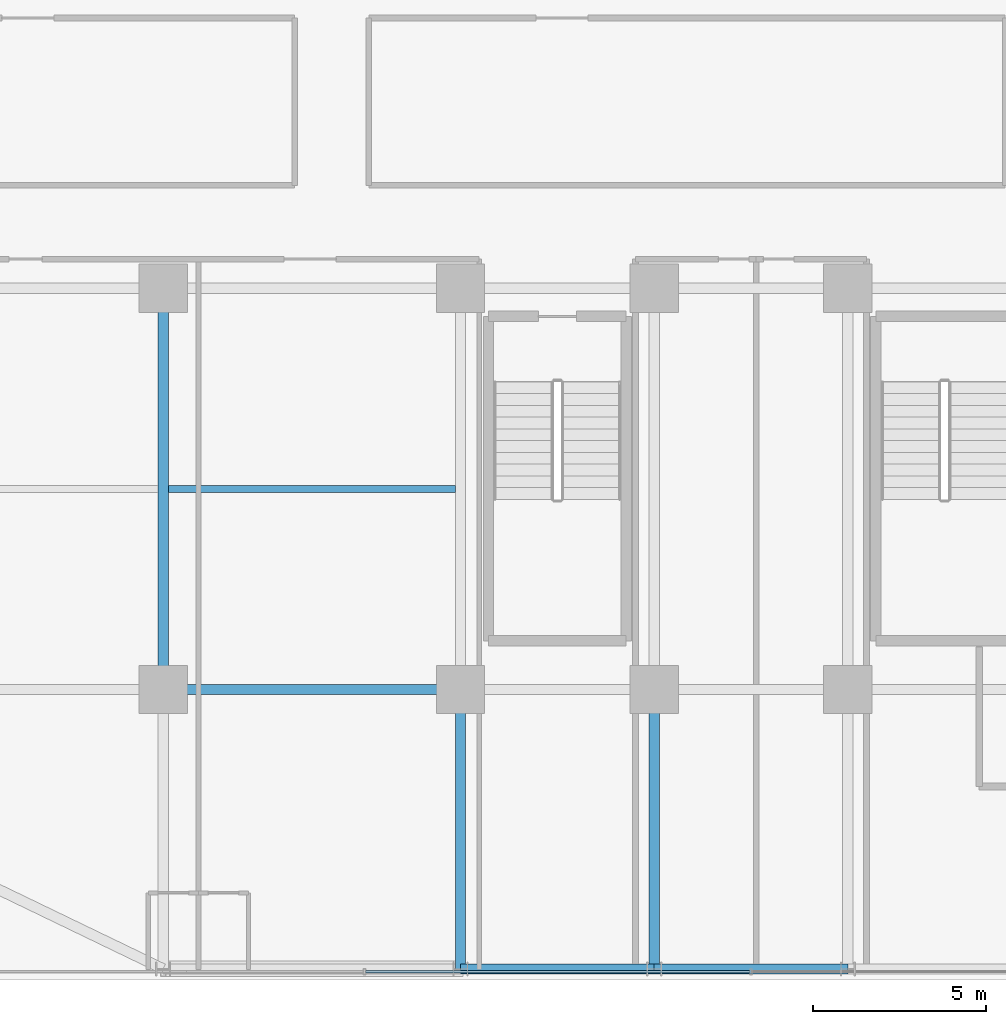
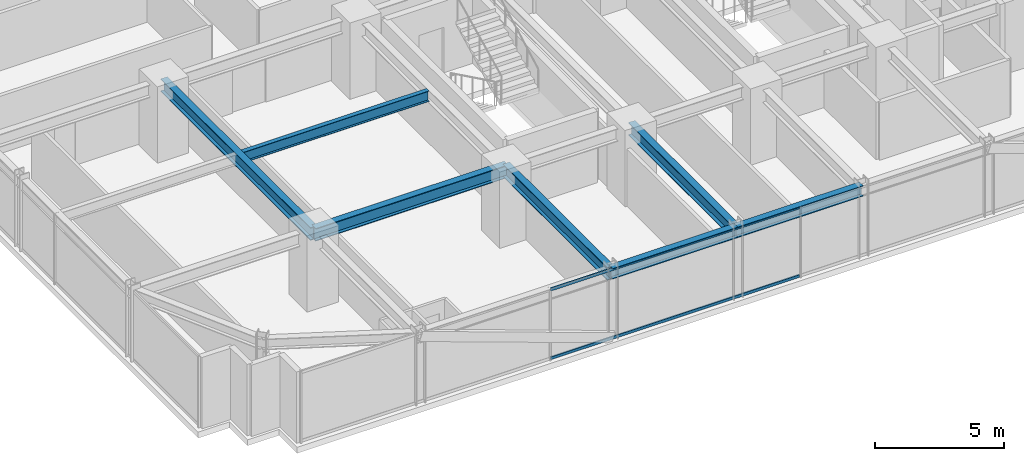
# One storey, part 7 of 35: 7 beams, 2 members, 1 element without a shape of its own.
"""IFC4 building model written with IfcOpenShell, lengths in metres."""

from ifc_helpers import new_model, si_unit, direction, frame, origin, origin_2d, place, context, subcontext, project, spatial, hollow_rectangle, i_section, extrude, source, transform, mapped, material, material_profile, profile_set, type_object, element, aggregate, save


model = new_model("IFC4")

# Units and contexts
model_context = context("Model", 3, precision=1e-05, world=origin(), true_north=direction((0.0, 1.0)))
body_context = subcontext(model_context, "Body", "Model", "MODEL_VIEW")
ifc_project = project(units=[si_unit("LENGTHUNIT", "METRE"), si_unit("AREAUNIT", "SQUARE_METRE"), si_unit("VOLUMEUNIT", "CUBIC_METRE"), si_unit("PLANEANGLEUNIT", "RADIAN"), si_unit("MASSUNIT", "GRAM", prefix="KILO")], contexts=[model_context])

# Site, building, storey
site_placement = place(None, origin())
site = spatial("IfcSite", under=ifc_project, at=site_placement, CompositionType="ELEMENT")
building_placement = place(site_placement, origin())
building = spatial("IfcBuilding", under=site, at=building_placement, Name="Nahalor Promenade Grand Hotel", CompositionType="ELEMENT")
storey_placement = place(building_placement, frame((0.0, 0.0, 39.699951171875)))
storey = spatial("IfcBuildingStorey", under=building, at=storey_placement, Name="L08", CompositionType="ELEMENT", Elevation=39.699951171875)

# Beams
ifc_material_1 = material(Name="Steel S355JR", Category="steel")
ifc_material_profile_1 = material_profile(ifc_material_1, i_section(OverallWidth=0.3, OverallDepth=0.6, WebThickness=0.0155, FlangeThickness=0.03, at=origin_2d()), Name="HEB 600")
ifc_profile_set_1 = profile_set([ifc_material_profile_1], Name="Steel S355JR")
beam_type_1 = type_object("IfcBeamType", Name="Beam-Girder-HEB600", PredefinedType="BEAM", material=ifc_profile_set_1)
shared_shape_1 = source(origin(), body_context, "Body", "SweptSolid", [
    extrude(i_section(OverallWidth=0.3, OverallDepth=0.6, WebThickness=0.0155, FlangeThickness=0.03, at=origin_2d()), origin(), (0.0, 0.0, 1.0), 8.60009765625),
])
beam_1_placement = place(storey_placement, frame((-17.0, -17.0, 3.070068359375), z_axis=(1.0, 0.0, 0.0), x_axis=(0.0, 1.0, 0.0)))
element("IfcBeam", 1, at=beam_1_placement, inside=storey, type_object=beam_type_1, Name="BM-L08-GX-0-1", PredefinedType="BEAM", context=body_context, shape_type="MappedRepresentation", body=[
    mapped(shared_shape_1, transform((0.0, 0.0, 0.0), scale=1.0)),
])
shared_shape_2 = source(origin(), body_context, "Body", "SweptSolid", [
    extrude(i_section(OverallWidth=0.3, OverallDepth=0.6, WebThickness=0.0155, FlangeThickness=0.03, at=origin_2d()), origin(), (0.0, 0.0, 1.0), 11.60009765625),
])
beam_2_placement = place(storey_placement, frame((-17.0, -17.0, 3.070068359375), z_axis=(0.0, 1.0, 0.0), x_axis=(-1.0, 0.0, 0.0)))
element("IfcBeam", 2, at=beam_2_placement, inside=storey, type_object=beam_type_1, Name="BM-L08-GY-0-1", PredefinedType="BEAM", context=body_context, shape_type="MappedRepresentation", body=[
    mapped(shared_shape_2, transform((0.0, 0.0, 0.0), scale=1.0)),
])
ifc_material_profile_2 = material_profile(ifc_material_1, i_section(OverallWidth=0.3, OverallDepth=0.5, WebThickness=0.0145, FlangeThickness=0.028, at=origin_2d()), Name="HEB 500")
ifc_profile_set_2 = profile_set([ifc_material_profile_2], Name="Steel S355JR")
beam_type_2 = type_object("IfcBeamType", Name="Beam-Spandrel-HEB500", PredefinedType="SPANDREL", material=ifc_profile_set_2)
shared_shape_3 = source(origin(), body_context, "Body", "SweptSolid", [
    extrude(i_section(OverallWidth=0.3, OverallDepth=0.5, WebThickness=0.0145, FlangeThickness=0.028, at=origin_2d()), origin(), (0.0, 0.0, 1.0), 5.599853515625),
])
beam_3_placement = place(storey_placement, frame((-8.39990234375, -25.080078125, 3.1201171875), z_axis=(1.0, 0.0, 0.0), x_axis=(0.0, 1.0, 0.0)))
element("IfcBeam", 3, at=beam_3_placement, inside=storey, type_object=beam_type_2, Name="BM-L08-SP-S-1", PredefinedType="SPANDREL", context=body_context, shape_type="MappedRepresentation", body=[
    mapped(shared_shape_3, transform((0.0, 0.0, 0.0), scale=1.0)),
])
shared_shape_4 = source(origin(), body_context, "Body", "SweptSolid", [
    extrude(i_section(OverallWidth=0.3, OverallDepth=0.5, WebThickness=0.0145, FlangeThickness=0.028, at=origin_2d()), origin(), (0.0, 0.0, 1.0), 5.60009765625),
])
beam_4_placement = place(storey_placement, frame((-2.800048828125, -25.080078125, 3.1201171875), z_axis=(1.0, 0.0, 0.0), x_axis=(0.0, 1.0, 0.0)))
element("IfcBeam", 4, at=beam_4_placement, inside=storey, type_object=beam_type_2, Name="BM-L08-SP-S-2", PredefinedType="SPANDREL", context=body_context, shape_type="MappedRepresentation", body=[
    mapped(shared_shape_4, transform((0.0, 0.0, 0.0), scale=1.0)),
])
ifc_material_profile_3 = material_profile(ifc_material_1, i_section(OverallWidth=0.2, OverallDepth=0.5, WebThickness=0.0102, FlangeThickness=0.016, at=origin_2d()), Name="IPE 500")
ifc_profile_set_3 = profile_set([ifc_material_profile_3], Name="Steel S355JR")
beam_type_3 = type_object("IfcBeamType", Name="Beam-Joist-IPE500", PredefinedType="JOIST", material=ifc_profile_set_3)
shared_shape_5 = source(origin(), body_context, "Body", "SweptSolid", [
    extrude(i_section(OverallWidth=0.2, OverallDepth=0.5, WebThickness=0.0102, FlangeThickness=0.016, at=origin_2d()), origin(), (0.0, 0.0, 1.0), 8.300048828125),
])
beam_5_placement = place(storey_placement, frame((-16.85009765625, -11.199951171875, 3.1201171875), z_axis=(1.0, 0.0, 0.0), x_axis=(0.0, 1.0, 0.0)))
element("IfcBeam", 5, at=beam_5_placement, inside=storey, type_object=beam_type_3, Name="BM-L08-JSW-0-1", PredefinedType="JOIST", context=body_context, shape_type="MappedRepresentation", body=[
    mapped(shared_shape_5, transform((0.0, 0.0, 0.0), scale=1.0)),
])
shared_shape_6 = source(origin(), body_context, "Body", "SweptSolid", [
    extrude(i_section(OverallWidth=0.3, OverallDepth=0.6, WebThickness=0.0155, FlangeThickness=0.03, at=origin_2d()), origin(), (0.0, 0.0, 1.0), 8.080078125),
])
for number, where, z_axis, x_axis, name in (
    (6, (-8.39990234375, -25.080078125, 3.070068359375), (0.0, 1.0, 0.0), (-1.0, 0.0, 0.0), "BM-L08-GY-1-0"),
    (7, (-2.800048828125, -25.080078125, 3.070068359375), (0.0, 1.0, 0.0), (-1.0, 0.0, 0.0), "BM-L08-GY-2-0"),
):
    element("IfcBeam", number, at=place(storey_placement, frame(where, z_axis=z_axis, x_axis=x_axis)), inside=storey, type_object=beam_type_1, Name=name, PredefinedType="BEAM", context=body_context, shape_type="MappedRepresentation", body=[
        mapped(shared_shape_6, transform((0.0, 0.0, 0.0), scale=1.0)),
    ])

# Curtain wall, members
ifc_material_2 = material(Name="Anodised Bronze Aluminium EN AW-6063 T6", Category="aluminium")
curtain_wall_type = type_object("IfcCurtainWallType", Name="CW2 Typical Hotel Flush Bronze Unitised Curtain Wall", PredefinedType="USERDEFINED", material=ifc_material_2)
curtain_wall_placement = place(storey_placement, origin())
curtain_wall = element("IfcCurtainWall", 8, at=curtain_wall_placement, inside=storey, type_object=curtain_wall_type, Name="L08 Curtain Wall CW-L08-S-1", ObjectType="UNITISED_CURTAIN_WALL", PredefinedType="USERDEFINED")
ifc_material_profile_4 = material_profile(ifc_material_2, hollow_rectangle(XDim=0.065, YDim=0.13, WallThickness=0.004, at=origin_2d()), Name="CWT 65x130x4")
ifc_profile_set_4 = profile_set([ifc_material_profile_4], Name="Anodised Bronze Aluminium EN AW-6063 T6")
member_type = type_object("IfcMemberType", Name="CWT2 Typical Bronze Transom 65x130", PredefinedType="USERDEFINED", material=ifc_profile_set_4)
shared_shape_7 = source(origin(), body_context, "Body", "SweptSolid", [
    extrude(hollow_rectangle(XDim=0.065, YDim=0.13, WallThickness=0.004, at=origin_2d()), origin(), (0.0, 0.0, 1.0), 11.114990234375),
])
member_1_placement = place(storey_placement, frame((-11.1474609375, -25.159912109375, 0.06494140625), z_axis=(1.0, 0.0, 0.0), x_axis=(0.0, 1.0, 0.0)))
member_1 = element("IfcMember", 9, at=member_1_placement, type_object=member_type, Name="CW-L08-S-1 Transom 1-0", ObjectType="TRANSOM", PredefinedType="USERDEFINED", context=body_context, shape_type="MappedRepresentation", body=[
    mapped(shared_shape_7, transform((0.0, 0.0, 0.0), scale=1.0)),
])
member_2_placement = place(storey_placement, frame((-11.1474609375, -25.159912109375, 3.304931640625), z_axis=(1.0, 0.0, 0.0), x_axis=(0.0, 1.0, 0.0)))
member_2 = element("IfcMember", 10, at=member_2_placement, type_object=member_type, Name="CW-L08-S-1 Transom 1-1", ObjectType="TRANSOM", PredefinedType="USERDEFINED", context=body_context, shape_type="MappedRepresentation", body=[
    mapped(shared_shape_7, transform((0.0, 0.0, 0.0), scale=1.0)),
])
aggregate(curtain_wall, [member_1, member_2])

save(model, "model.ifc")
